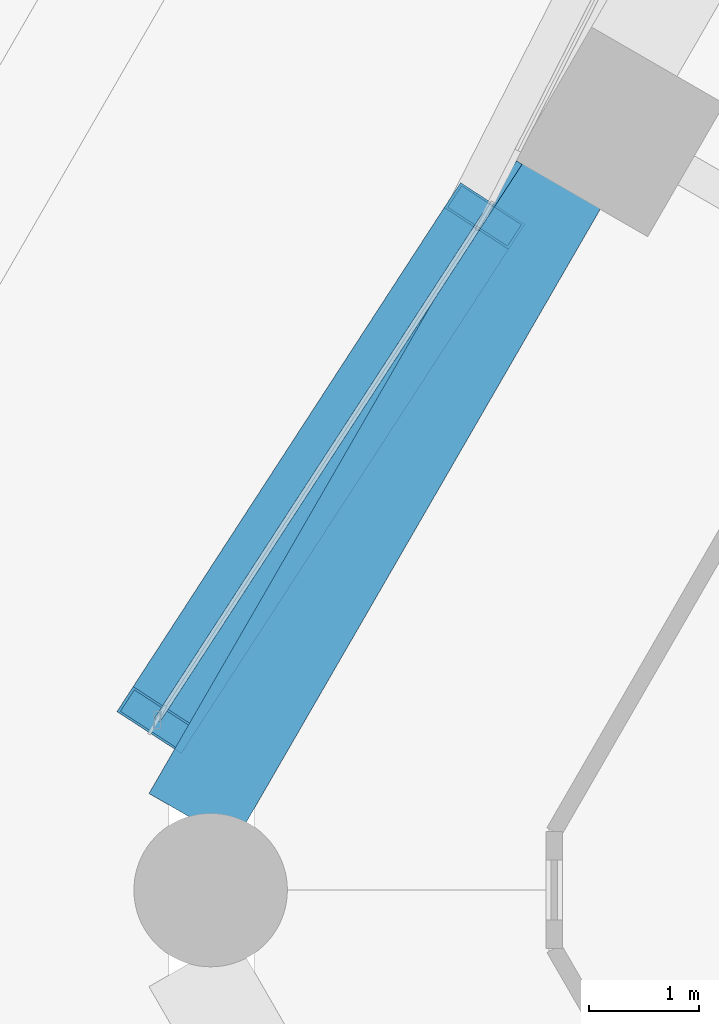
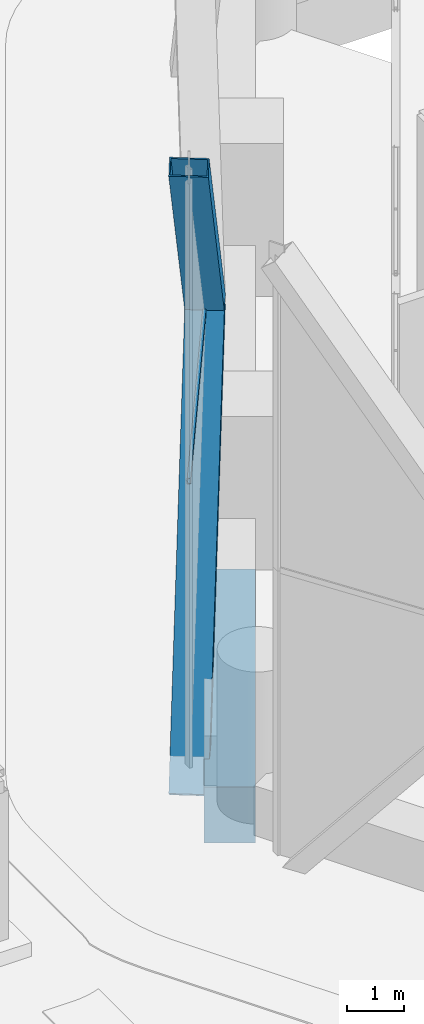
# One storey, part 22 of 71: 3 members, 1 beam, 1 element without a shape of its own.
"""IFC4 building model written with IfcOpenShell, lengths in metres."""

import ifcopenshell
import ifcopenshell.guid

model = None  # the IFC model being written
_history = None  # IfcOwnerHistory: only IFC2X3 demands one
_inside = {}  # id of a spatial element -> (the spatial element, [elements in it])
_under = {}  # id of a project, library or spatial element -> (it, [spatial elements below it])
_declared = {}  # id of a project -> (the project, [libraries it declares])
_typed = {}  # id of a type object -> (the type object, [elements of that type])
_made_of = {}  # id of a material, layer set ... -> (it, [elements and type objects made of it])


def new_model(schema):
    """Start an empty IFC model of exactly this schema.

    Asked for "IFC4X3", IfcOpenShell would pick the latest addendum, in which some entities
    have other attributes; the version numbers below select the first issue.
    IFC2X3 requires an IfcOwnerHistory on every rooted entity: one is made here for all.
    """
    global model, _history
    if schema == "IFC4X3":
        model = ifcopenshell.file(schema_version=(4, 3, 0, 0))
    else:
        model = ifcopenshell.file(schema=schema)
    _inside.clear()
    _under.clear()
    _declared.clear()
    _typed.clear()
    _made_of.clear()
    _history = None
    if model.schema == "IFC2X3":
        org = make("IfcOrganization", Name="unknown")
        user = make(
            "IfcPersonAndOrganization",
            ThePerson=make("IfcPerson", FamilyName="unknown"),
            TheOrganization=org,
        )
        app = make(
            "IfcApplication",
            ApplicationDeveloper=org,
            Version="unknown",
            ApplicationFullName="unknown",
            ApplicationIdentifier="unknown",
        )
        _history = make(
            "IfcOwnerHistory",
            OwningUser=user,
            OwningApplication=app,
            ChangeAction="ADDED",
            CreationDate=0,
        )
    return model


def make(cls, **values):
    """One entity of the class cls with the attributes given. An attribute that is None is left unset."""
    return model.create_entity(
        cls, **{name: value for name, value in values.items() if value is not None}
    )


def rooted(cls, **values):
    """An entity with a GlobalId (a new one), such as an element, a storey or a relation."""
    return make(cls, GlobalId=ifcopenshell.guid.new(), OwnerHistory=_history, **values)


def si_unit(unit_type, name, prefix=None):
    """IfcSIUnit, for example si_unit("LENGTHUNIT", "METRE", prefix="MILLI")."""
    return make("IfcSIUnit", UnitType=unit_type, Prefix=prefix, Name=name)


def assignment(units):
    """IfcUnitAssignment: the units of a project."""
    return None if units is None else make("IfcUnitAssignment", Units=units)


def point(xyz):
    """IfcCartesianPoint."""
    return None if xyz is None else make("IfcCartesianPoint", Coordinates=xyz)


def direction(xyz):
    """IfcDirection."""
    return None if xyz is None else make("IfcDirection", DirectionRatios=xyz)


def frame(location, z_axis=None, x_axis=None):
    """IfcAxis2Placement3D, a coordinate frame: its origin and axes. An axis left out is left unset."""
    return make(
        "IfcAxis2Placement3D",
        Location=point(location),
        Axis=direction(z_axis),
        RefDirection=direction(x_axis),
    )


def frame_2d(location, x_axis=None):
    """IfcAxis2Placement2D, a coordinate frame in the plane: its origin and x axis."""
    return make(
        "IfcAxis2Placement2D", Location=point(location), RefDirection=direction(x_axis)
    )


def origin():
    """The frame at (0, 0, 0) with its axes left unset."""
    return frame((0.0, 0.0, 0.0))


def origin_2d():
    """The frame at (0, 0) in the plane with its x axis left unset."""
    return frame_2d((0.0, 0.0))


def place(relative_to, where):
    """IfcLocalPlacement: puts the frame where relative to a parent placement (None: the world)."""
    return make(
        "IfcLocalPlacement", PlacementRelTo=relative_to, RelativePlacement=where
    )


def context(
    kind, dimensions, precision=None, world=None, true_north=None, identifier=None
):
    """IfcGeometricRepresentationContext, for example the 3D "Model" context."""
    return make(
        "IfcGeometricRepresentationContext",
        ContextIdentifier=identifier,
        ContextType=kind,
        CoordinateSpaceDimension=dimensions,
        Precision=precision,
        WorldCoordinateSystem=world,
        TrueNorth=true_north,
    )


def subcontext(parent, identifier, kind, view, scale=None):
    """IfcGeometricRepresentationSubContext, for example "Body" below "Model"."""
    return make(
        "IfcGeometricRepresentationSubContext",
        ContextIdentifier=identifier,
        ContextType=kind,
        ParentContext=parent,
        TargetScale=scale,
        TargetView=view,
    )


def project(units=None, contexts=None):
    """IfcProject with its units and contexts."""
    return rooted(
        "IfcProject",
        Name="project",
        RepresentationContexts=contexts,
        UnitsInContext=assignment(units),
    )


def spatial(cls, under=None, at=None, **own):
    """A site, building, storey or space (cls), placed at a placement, below another one or the project."""
    s = rooted(cls, ObjectPlacement=at, **own)
    if under is not None:
        _under.setdefault(under.id(), (under, []))[1].append(s)
    return s


def profile(cls, at=None, kind="AREA", **sizes):
    """A parametric profile (cls). Its sizes go by their IFC names, for example OverallWidth=200.0."""
    return make(cls, ProfileType=kind, Position=at, **sizes)


def rectangle(**sizes):
    """IfcRectangleProfileDef."""
    return profile("IfcRectangleProfileDef", **sizes)


def hollow_rectangle(**sizes):
    """IfcRectangleHollowProfileDef."""
    return profile("IfcRectangleHollowProfileDef", **sizes)


def extrude(swept, where, along, depth):
    """IfcExtrudedAreaSolid: the profile swept, set in the frame where, extruded along a direction by depth."""
    return make(
        "IfcExtrudedAreaSolid",
        SweptArea=swept,
        Position=where,
        ExtrudedDirection=direction(along),
        Depth=depth,
    )


def shape(context_of_items, identifier, shape_type, items):
    """IfcShapeRepresentation: the items that make up one representation, for example the "Body"."""
    return make(
        "IfcShapeRepresentation",
        ContextOfItems=context_of_items,
        RepresentationIdentifier=identifier,
        RepresentationType=shape_type,
        Items=items,
    )


def material(Name=None, Category=None):
    """IfcMaterial."""
    return make("IfcMaterial", Name=Name, Category=Category)


def material_profile(
    of_material, cross_section, Name=None, Category=None, Priority=None
):
    """IfcMaterialProfile: a cross section and its material."""
    return make(
        "IfcMaterialProfile",
        Name=Name,
        Material=of_material,
        Profile=cross_section,
        Priority=Priority,
        Category=Category,
    )


def profile_set(profiles, Name=None, composite=None):
    """IfcMaterialProfileSet."""
    return make(
        "IfcMaterialProfileSet",
        Name=Name,
        MaterialProfiles=profiles,
        CompositeProfile=composite,
    )


def made_of(thing, what):
    """Note that an element or type object is made of a material, layer set ...; save() writes the relation."""
    if what is not None:
        _made_of.setdefault(what.id(), (what, []))[1].append(thing)
    return thing


def type_object(cls, material=None, **own):
    """A type object (cls), such as IfcWallType, which elements share."""
    return made_of(rooted(cls, **own), material)


def element(
    cls,
    number,
    at=None,
    inside=None,
    cuts=None,
    type_object=None,
    material=None,
    context=None,
    identifier="Body",
    shape_type=None,
    held_by="IfcProductDefinitionShape",
    body=None,
    shapes=None,
    **own,
):
    """One element of the class cls, such as IfcWall. Its Tag is "e" and its number.

    at: its placement. inside: the storey or other place that contains it. cuts: it is an
    opening in that element (IfcRelVoidsElement). A single representation is given by context,
    identifier, shape_type and body (its items); several are given by shapes. held_by: the class
    of the entity that holds the representations. save() writes the other relations.
    """
    e = rooted(cls, Tag="e%d" % number, ObjectPlacement=at, **own)
    if body is not None:
        shapes = [shape(context, identifier, shape_type, body)]
    if shapes is not None:
        e.Representation = make(held_by, Representations=shapes)
    if inside is not None:
        _inside.setdefault(inside.id(), (inside, []))[1].append(e)
    if cuts is not None:
        rooted(
            "IfcRelVoidsElement", RelatingBuildingElement=cuts, RelatedOpeningElement=e
        )
    if type_object is not None:
        _typed.setdefault(type_object.id(), (type_object, []))[1].append(e)
    return made_of(e, material)


def aggregate(whole, parts):
    """IfcRelAggregates: a whole, such as a stair, and the parts it consists of."""
    return rooted("IfcRelAggregates", RelatingObject=whole, RelatedObjects=parts)


def save(model, path):
    """Write the relations noted so far, then the file.

    IfcRelAggregates (storeys below a building ...), IfcRelContainedInSpatialStructure (elements
    in a storey), IfcRelDefinesByType, IfcRelAssociatesMaterial and IfcRelDeclares: one each for
    every whole, place, type object, material and project.
    """
    for whole, parts in _under.values():
        aggregate(whole, parts)
    for where, things in _inside.values():
        rooted(
            "IfcRelContainedInSpatialStructure",
            RelatedElements=things,
            RelatingStructure=where,
        )
    for kind, things in _typed.values():
        rooted("IfcRelDefinesByType", RelatedObjects=things, RelatingType=kind)
    for what, things in _made_of.values():
        rooted("IfcRelAssociatesMaterial", RelatedObjects=things, RelatingMaterial=what)
    for by, libraries in _declared.values():
        rooted("IfcRelDeclares", RelatingContext=by, RelatedDefinitions=libraries)
    model.write(path)


model = new_model("IFC4")

# Units and contexts
model_context = context("Model", 3, precision=1e-05, world=origin(), true_north=direction((0.0, 1.0)))
body_context = subcontext(model_context, "Body", "Model", "MODEL_VIEW")
ifc_project = project(units=[si_unit("LENGTHUNIT", "METRE"), si_unit("AREAUNIT", "SQUARE_METRE"), si_unit("VOLUMEUNIT", "CUBIC_METRE"), si_unit("PLANEANGLEUNIT", "RADIAN"), si_unit("MASSUNIT", "GRAM", prefix="KILO")], contexts=[model_context])

# Site, building, storey
site_placement = place(None, origin())
site = spatial("IfcSite", under=ifc_project, at=site_placement, CompositionType="ELEMENT")
building_placement = place(site_placement, origin())
building = spatial("IfcBuilding", under=site, at=building_placement, Name="Ostrander Bayou Hotel Tower", CompositionType="ELEMENT")
storey_placement = place(building_placement, frame((0.0, 0.0, 10.0)))
storey = spatial("IfcBuildingStorey", under=building, at=storey_placement, Name="L02", CompositionType="ELEMENT", Elevation=10.0)

# Curtain wall, member
ifc_material_1 = material(Name="Aluminium and clear glass", Category="aluminium")
curtain_wall_type = type_object("IfcCurtainWallType", Name="CW-LAT lattice glazing", PredefinedType="NOTDEFINED", material=ifc_material_1)
curtain_wall_placement = place(storey_placement, origin())
curtain_wall = element("IfcCurtainWall", 1, at=curtain_wall_placement, inside=storey, type_object=curtain_wall_type, Name="CW-LAT L02 NW 2", PredefinedType="NOTDEFINED")
ifc_material_2 = material(Name="Aluminium", Category="aluminium")
ifc_material_profile_1 = material_profile(ifc_material_2, hollow_rectangle(XDim=0.06005859375, YDim=0.1201171875, WallThickness=0.00390625, at=origin_2d()))
ifc_profile_set_1 = profile_set([ifc_material_profile_1], Name="Aluminium")
member_type_1 = type_object("IfcMemberType", Name="CW-LA transom 60 x 120 mm", PredefinedType="USERDEFINED", material=ifc_profile_set_1)
member_placement = place(storey_placement, frame((-24.58837890625, 1.551513671875, 6.14990234375), z_axis=(0.544652890505, 0.838661569922, 0.0), x_axis=(-0.838661569922, 0.544652890505, 0.0)))
member = element("IfcMember", 2, at=member_placement, type_object=member_type_1, Name="CW-LAT transom 10", ObjectType="TRANSOM", PredefinedType="USERDEFINED", context=body_context, shape_type="SweptSolid", body=[
    extrude(hollow_rectangle(XDim=0.06005859375, YDim=0.1201171875, WallThickness=0.00390625, at=origin_2d()), origin(), (0.0, 0.0, 1.0), 6.0634765625),
])
aggregate(curtain_wall, [member])

# Members
ifc_material_3 = material(Name="Steel ASTM A572 Gr 50", Category="steel")
ifc_material_profile_2 = material_profile(ifc_material_3, hollow_rectangle(XDim=0.699951171875, YDim=0.35009765625, WallThickness=0.02490234375, at=origin_2d()))
ifc_profile_set_2 = profile_set([ifc_material_profile_2], Name="Steel ASTM A572 Gr 50")
member_type_2 = type_object("IfcMemberType", Name="LT1 lattice member box 700 x 350 x 25 mm", PredefinedType="BRACE", material=ifc_profile_set_2)
for number, where, z_axis, x_axis, name in (
    (3, (-21.602294921875, 6.14990234375, 6.14990234375), (-0.343376932244, -0.528779700664, -0.776198628296), (0.838682608864, -0.544620493178, 0.0), "LT1 L02 NW 5"),
    (4, (-21.602294921875, 6.14990234375, 6.14990234375), (-0.343376932244, -0.528779700664, 0.776198628296), (0.838682608864, -0.544620493178, 0.0), "LT1 L02 NW 6"),
):
    element("IfcMember", number, at=place(storey_placement, frame(where, z_axis=z_axis, x_axis=x_axis)), inside=storey, type_object=member_type_2, Name=name, PredefinedType="BRACE", context=body_context, shape_type="SweptSolid", body=[
        extrude(hollow_rectangle(XDim=0.699951171875, YDim=0.35009765625, WallThickness=0.02490234375, at=origin_2d()), origin(), (0.0, 0.0, 1.0), 8.6962890625),
    ])

# Beam
ifc_material_4 = material(Name="Concrete f'c 70 MPa", Category="concrete")
ifc_material_profile_3 = material_profile(ifc_material_4, rectangle(XDim=0.89990234375, YDim=1.199951171875, at=origin_2d()))
ifc_profile_set_3 = profile_set([ifc_material_profile_3], Name="Concrete f'c 70 MPa")
beam_type = type_object("IfcBeamType", Name="SP1 spandrel beam 900 x 1200 mm f'c 70 MPa", PredefinedType="SPANDREL", material=ifc_profile_set_3)
beam_placement = place(storey_placement, frame((-20.92236328125, 6.46142578125, -0.60009765625), z_axis=(-0.500005133765, -0.866022439784, 0.0), x_axis=(0.866022439784, -0.500005133765, 0.0)))
element("IfcBeam", 5, at=beam_placement, inside=storey, type_object=beam_type, Name="SP1 L02 NW-3", PredefinedType="SPANDREL", context=body_context, shape_type="SweptSolid", body=[
    extrude(rectangle(XDim=0.89990234375, YDim=1.199951171875, at=origin_2d()), origin(), (0.0, 0.0, 1.0), 6.70361328125),
])

save(model, "model.ifc")
